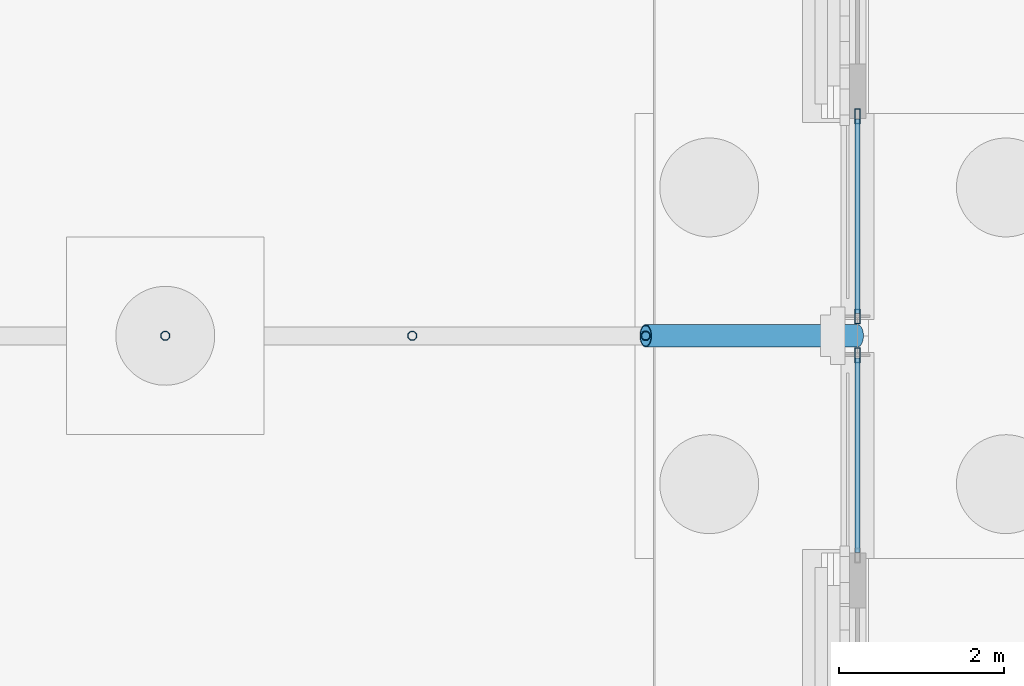
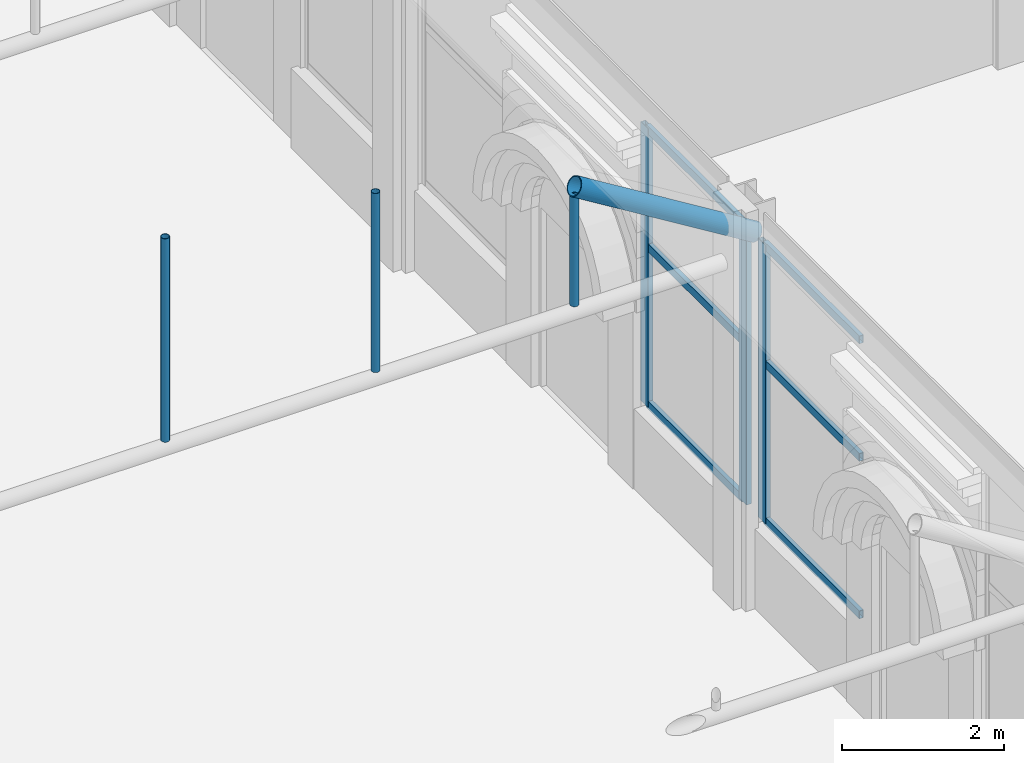
# One storey, part 150 of 212: 13 members, 2 elements without a shape of their own.
"""IFC4 building model written with IfcOpenShell, lengths in metres."""

import ifcopenshell
import ifcopenshell.guid

model = None  # the IFC model being written
_history = None  # IfcOwnerHistory: only IFC2X3 demands one
_inside = {}  # id of a spatial element -> (the spatial element, [elements in it])
_under = {}  # id of a project, library or spatial element -> (it, [spatial elements below it])
_declared = {}  # id of a project -> (the project, [libraries it declares])
_typed = {}  # id of a type object -> (the type object, [elements of that type])
_made_of = {}  # id of a material, layer set ... -> (it, [elements and type objects made of it])


def new_model(schema):
    """Start an empty IFC model of exactly this schema.

    Asked for "IFC4X3", IfcOpenShell would pick the latest addendum, in which some entities
    have other attributes; the version numbers below select the first issue.
    IFC2X3 requires an IfcOwnerHistory on every rooted entity: one is made here for all.
    """
    global model, _history
    if schema == "IFC4X3":
        model = ifcopenshell.file(schema_version=(4, 3, 0, 0))
    else:
        model = ifcopenshell.file(schema=schema)
    _inside.clear()
    _under.clear()
    _declared.clear()
    _typed.clear()
    _made_of.clear()
    _history = None
    if model.schema == "IFC2X3":
        org = make("IfcOrganization", Name="unknown")
        user = make(
            "IfcPersonAndOrganization",
            ThePerson=make("IfcPerson", FamilyName="unknown"),
            TheOrganization=org,
        )
        app = make(
            "IfcApplication",
            ApplicationDeveloper=org,
            Version="unknown",
            ApplicationFullName="unknown",
            ApplicationIdentifier="unknown",
        )
        _history = make(
            "IfcOwnerHistory",
            OwningUser=user,
            OwningApplication=app,
            ChangeAction="ADDED",
            CreationDate=0,
        )
    return model


def make(cls, **values):
    """One entity of the class cls with the attributes given. An attribute that is None is left unset."""
    return model.create_entity(
        cls, **{name: value for name, value in values.items() if value is not None}
    )


def rooted(cls, **values):
    """An entity with a GlobalId (a new one), such as an element, a storey or a relation."""
    return make(cls, GlobalId=ifcopenshell.guid.new(), OwnerHistory=_history, **values)


def si_unit(unit_type, name, prefix=None):
    """IfcSIUnit, for example si_unit("LENGTHUNIT", "METRE", prefix="MILLI")."""
    return make("IfcSIUnit", UnitType=unit_type, Prefix=prefix, Name=name)


def assignment(units):
    """IfcUnitAssignment: the units of a project."""
    return None if units is None else make("IfcUnitAssignment", Units=units)


def point(xyz):
    """IfcCartesianPoint."""
    return None if xyz is None else make("IfcCartesianPoint", Coordinates=xyz)


def direction(xyz):
    """IfcDirection."""
    return None if xyz is None else make("IfcDirection", DirectionRatios=xyz)


def frame(location, z_axis=None, x_axis=None):
    """IfcAxis2Placement3D, a coordinate frame: its origin and axes. An axis left out is left unset."""
    return make(
        "IfcAxis2Placement3D",
        Location=point(location),
        Axis=direction(z_axis),
        RefDirection=direction(x_axis),
    )


def frame_2d(location, x_axis=None):
    """IfcAxis2Placement2D, a coordinate frame in the plane: its origin and x axis."""
    return make(
        "IfcAxis2Placement2D", Location=point(location), RefDirection=direction(x_axis)
    )


def origin():
    """The frame at (0, 0, 0) with its axes left unset."""
    return frame((0.0, 0.0, 0.0))


def origin_2d():
    """The frame at (0, 0) in the plane with its x axis left unset."""
    return frame_2d((0.0, 0.0))


def place(relative_to, where):
    """IfcLocalPlacement: puts the frame where relative to a parent placement (None: the world)."""
    return make(
        "IfcLocalPlacement", PlacementRelTo=relative_to, RelativePlacement=where
    )


def context(
    kind, dimensions, precision=None, world=None, true_north=None, identifier=None
):
    """IfcGeometricRepresentationContext, for example the 3D "Model" context."""
    return make(
        "IfcGeometricRepresentationContext",
        ContextIdentifier=identifier,
        ContextType=kind,
        CoordinateSpaceDimension=dimensions,
        Precision=precision,
        WorldCoordinateSystem=world,
        TrueNorth=true_north,
    )


def subcontext(parent, identifier, kind, view, scale=None):
    """IfcGeometricRepresentationSubContext, for example "Body" below "Model"."""
    return make(
        "IfcGeometricRepresentationSubContext",
        ContextIdentifier=identifier,
        ContextType=kind,
        ParentContext=parent,
        TargetScale=scale,
        TargetView=view,
    )


def project(units=None, contexts=None):
    """IfcProject with its units and contexts."""
    return rooted(
        "IfcProject",
        Name="project",
        RepresentationContexts=contexts,
        UnitsInContext=assignment(units),
    )


def spatial(cls, under=None, at=None, **own):
    """A site, building, storey or space (cls), placed at a placement, below another one or the project."""
    s = rooted(cls, ObjectPlacement=at, **own)
    if under is not None:
        _under.setdefault(under.id(), (under, []))[1].append(s)
    return s


def profile(cls, at=None, kind="AREA", **sizes):
    """A parametric profile (cls). Its sizes go by their IFC names, for example OverallWidth=200.0."""
    return make(cls, ProfileType=kind, Position=at, **sizes)


def hollow_rectangle(**sizes):
    """IfcRectangleHollowProfileDef."""
    return profile("IfcRectangleHollowProfileDef", **sizes)


def hollow_circle(**sizes):
    """IfcCircleHollowProfileDef."""
    return profile("IfcCircleHollowProfileDef", **sizes)


def extrude(swept, where, along, depth):
    """IfcExtrudedAreaSolid: the profile swept, set in the frame where, extruded along a direction by depth."""
    return make(
        "IfcExtrudedAreaSolid",
        SweptArea=swept,
        Position=where,
        ExtrudedDirection=direction(along),
        Depth=depth,
    )


def shape(context_of_items, identifier, shape_type, items):
    """IfcShapeRepresentation: the items that make up one representation, for example the "Body"."""
    return make(
        "IfcShapeRepresentation",
        ContextOfItems=context_of_items,
        RepresentationIdentifier=identifier,
        RepresentationType=shape_type,
        Items=items,
    )


def material(Name=None, Category=None):
    """IfcMaterial."""
    return make("IfcMaterial", Name=Name, Category=Category)


def material_profile(
    of_material, cross_section, Name=None, Category=None, Priority=None
):
    """IfcMaterialProfile: a cross section and its material."""
    return make(
        "IfcMaterialProfile",
        Name=Name,
        Material=of_material,
        Profile=cross_section,
        Priority=Priority,
        Category=Category,
    )


def profile_set(profiles, Name=None, composite=None):
    """IfcMaterialProfileSet."""
    return make(
        "IfcMaterialProfileSet",
        Name=Name,
        MaterialProfiles=profiles,
        CompositeProfile=composite,
    )


def made_of(thing, what):
    """Note that an element or type object is made of a material, layer set ...; save() writes the relation."""
    if what is not None:
        _made_of.setdefault(what.id(), (what, []))[1].append(thing)
    return thing


def type_object(cls, material=None, **own):
    """A type object (cls), such as IfcWallType, which elements share."""
    return made_of(rooted(cls, **own), material)


def element(
    cls,
    number,
    at=None,
    inside=None,
    cuts=None,
    type_object=None,
    material=None,
    context=None,
    identifier="Body",
    shape_type=None,
    held_by="IfcProductDefinitionShape",
    body=None,
    shapes=None,
    **own,
):
    """One element of the class cls, such as IfcWall. Its Tag is "e" and its number.

    at: its placement. inside: the storey or other place that contains it. cuts: it is an
    opening in that element (IfcRelVoidsElement). A single representation is given by context,
    identifier, shape_type and body (its items); several are given by shapes. held_by: the class
    of the entity that holds the representations. save() writes the other relations.
    """
    e = rooted(cls, Tag="e%d" % number, ObjectPlacement=at, **own)
    if body is not None:
        shapes = [shape(context, identifier, shape_type, body)]
    if shapes is not None:
        e.Representation = make(held_by, Representations=shapes)
    if inside is not None:
        _inside.setdefault(inside.id(), (inside, []))[1].append(e)
    if cuts is not None:
        rooted(
            "IfcRelVoidsElement", RelatingBuildingElement=cuts, RelatedOpeningElement=e
        )
    if type_object is not None:
        _typed.setdefault(type_object.id(), (type_object, []))[1].append(e)
    return made_of(e, material)


def aggregate(whole, parts):
    """IfcRelAggregates: a whole, such as a stair, and the parts it consists of."""
    return rooted("IfcRelAggregates", RelatingObject=whole, RelatedObjects=parts)


def save(model, path):
    """Write the relations noted so far, then the file.

    IfcRelAggregates (storeys below a building ...), IfcRelContainedInSpatialStructure (elements
    in a storey), IfcRelDefinesByType, IfcRelAssociatesMaterial and IfcRelDeclares: one each for
    every whole, place, type object, material and project.
    """
    for whole, parts in _under.values():
        aggregate(whole, parts)
    for where, things in _inside.values():
        rooted(
            "IfcRelContainedInSpatialStructure",
            RelatedElements=things,
            RelatingStructure=where,
        )
    for kind, things in _typed.values():
        rooted("IfcRelDefinesByType", RelatedObjects=things, RelatingType=kind)
    for what, things in _made_of.values():
        rooted("IfcRelAssociatesMaterial", RelatedObjects=things, RelatingMaterial=what)
    for by, libraries in _declared.values():
        rooted("IfcRelDeclares", RelatingContext=by, RelatedDefinitions=libraries)
    model.write(path)


model = new_model("IFC4")

# Units and contexts
model_context = context("Model", 3, precision=1e-05, world=origin(), true_north=direction((0.0, 1.0)))
body_context = subcontext(model_context, "Body", "Model", "MODEL_VIEW")
ifc_project = project(units=[si_unit("LENGTHUNIT", "METRE"), si_unit("AREAUNIT", "SQUARE_METRE"), si_unit("VOLUMEUNIT", "CUBIC_METRE"), si_unit("PLANEANGLEUNIT", "RADIAN"), si_unit("MASSUNIT", "GRAM", prefix="KILO")], contexts=[model_context])

# Site, building, storey
site_placement = place(None, origin())
site = spatial("IfcSite", under=ifc_project, at=site_placement, CompositionType="ELEMENT")
building_placement = place(site_placement, origin())
building = spatial("IfcBuilding", under=site, at=building_placement, Name="Catenary Quay Ferry Terminal", CompositionType="ELEMENT")
storey_placement = place(building_placement, origin())
storey = spatial("IfcBuildingStorey", under=building, at=storey_placement, Name="L00", CompositionType="ELEMENT", Elevation=0.0)

# Members
ifc_material_1 = material(Name="Steel S355", Category="steel")
ifc_material_profile_1 = material_profile(ifc_material_1, hollow_circle(Radius=0.05712890625, WallThickness=0.00634765625, at=origin_2d()), Name="CHS 114.3x6.3")
ifc_profile_set_1 = profile_set([ifc_material_profile_1], Name="Steel S355")
member_type_1 = type_object("IfcMemberType", Name="HG1 CHS 114.3x6.3", PredefinedType="POST", material=ifc_profile_set_1)
member_1_placement = place(storey_placement, frame((16.800048828125, 184.800048828125, 5.205078125), z_axis=(0.0, 0.0, 1.0), x_axis=(1.0, 0.0, 0.0)))
element("IfcMember", 1, at=member_1_placement, inside=storey, type_object=member_type_1, Name="Hanger FC-15-03", PredefinedType="POST", context=body_context, shape_type="SweptSolid", body=[
    extrude(hollow_circle(Radius=0.05712890625, WallThickness=0.00634765625, at=origin_2d()), origin(), (0.0, 0.0, 1.0), 3.06494140625),
])
member_2_placement = place(storey_placement, frame((19.797119140625, 184.800048828125, 5.205078125), z_axis=(0.0, 0.0, 1.0), x_axis=(1.0, 0.0, 0.0)))
element("IfcMember", 2, at=member_2_placement, inside=storey, type_object=member_type_1, Name="Hanger FC-15-04", PredefinedType="POST", context=body_context, shape_type="SweptSolid", body=[
    extrude(hollow_circle(Radius=0.05712890625, WallThickness=0.00634765625, at=origin_2d()), origin(), (0.0, 0.0, 1.0), 2.69580078125),
])
member_3_placement = place(storey_placement, frame((22.62890625, 184.800048828125, 5.205078125), z_axis=(0.0, 0.0, 1.0), x_axis=(1.0, 0.0, 0.0)))
element("IfcMember", 3, at=member_3_placement, inside=storey, type_object=member_type_1, Name="Hanger FC-15-05", PredefinedType="POST", context=body_context, shape_type="SweptSolid", body=[
    extrude(hollow_circle(Radius=0.05712890625, WallThickness=0.00634765625, at=origin_2d()), origin(), (0.0, 0.0, 1.0), 1.64892578125),
])

# Curtain wall, member
ifc_material_2 = material(Name="Aluminium and glass", Category="aluminium")
curtain_wall_type = type_object("IfcCurtainWallType", Name="CWW1", PredefinedType="NOTDEFINED", material=ifc_material_2)
curtain_wall_1_placement = place(storey_placement, origin())
curtain_wall_1 = element("IfcCurtainWall", 4, at=curtain_wall_1_placement, inside=storey, type_object=curtain_wall_type, Name="Wing curtain wall CW108", PredefinedType="NOTDEFINED")
ifc_material_3 = material(Name="Aluminium", Category="aluminium")
ifc_material_profile_2 = material_profile(ifc_material_3, hollow_rectangle(XDim=0.070068359375, YDim=0.179931640625, WallThickness=0.006103515625, at=origin_2d()), Name="MU3")
ifc_profile_set_2 = profile_set([ifc_material_profile_2], Name="Aluminium")
member_type_2 = type_object("IfcMemberType", Name="MU3", PredefinedType="MULLION", material=ifc_profile_set_2)
member_4_placement = place(storey_placement, frame((25.199951171875, 184.56494140625, 1.199951171875), z_axis=(0.0, 0.0, 1.0), x_axis=(-1.0, 0.0, 0.0)))
member_4 = element("IfcMember", 5, at=member_4_placement, type_object=member_type_2, Name="CW108 mullion 2", PredefinedType="MULLION", context=body_context, shape_type="SweptSolid", body=[
    extrude(hollow_rectangle(XDim=0.070068359375, YDim=0.179931640625, WallThickness=0.006103515625, at=origin_2d()), origin(), (0.0, 0.0, 1.0), 4.199951171875),
])

# Curtain wall, members
curtain_wall_2_placement = place(storey_placement, origin())
curtain_wall_2 = element("IfcCurtainWall", 6, at=curtain_wall_2_placement, inside=storey, type_object=curtain_wall_type, Name="Wing curtain wall CW109", PredefinedType="NOTDEFINED")
member_5_placement = place(storey_placement, frame((25.199951171875, 185.034912109375, 1.199951171875), z_axis=(0.0, 0.0, 1.0), x_axis=(-1.0, 0.0, 0.0)))
member_5 = element("IfcMember", 7, at=member_5_placement, type_object=member_type_2, Name="CW109 mullion 1", PredefinedType="MULLION", context=body_context, shape_type="SweptSolid", body=[
    extrude(hollow_rectangle(XDim=0.070068359375, YDim=0.179931640625, WallThickness=0.006103515625, at=origin_2d()), origin(), (0.0, 0.0, 1.0), 4.199951171875),
])
member_6_placement = place(storey_placement, frame((25.199951171875, 187.465087890625, 1.199951171875), z_axis=(0.0, 0.0, 1.0), x_axis=(-1.0, 0.0, 0.0)))
member_6 = element("IfcMember", 8, at=member_6_placement, type_object=member_type_2, Name="CW109 mullion 2", PredefinedType="MULLION", context=body_context, shape_type="SweptSolid", body=[
    extrude(hollow_rectangle(XDim=0.070068359375, YDim=0.179931640625, WallThickness=0.006103515625, at=origin_2d()), origin(), (0.0, 0.0, 1.0), 4.199951171875),
])

# Member
ifc_material_4 = material(Name="Aluminium", Category="aluminium")
ifc_material_profile_3 = material_profile(ifc_material_4, hollow_rectangle(XDim=0.06005859375, YDim=0.1201171875, WallThickness=0.0048828125, at=origin_2d()), Name="TR3")
ifc_profile_set_3 = profile_set([ifc_material_profile_3], Name="Aluminium")
member_type_3 = type_object("IfcMemberType", Name="TR3", PredefinedType="USERDEFINED", material=ifc_profile_set_3)
member_7_placement = place(storey_placement, frame((25.199951171875, 182.169921875, 1.22998046875), z_axis=(0.0, 1.0, 0.0), x_axis=(-1.0, 0.0, 0.0)))
member_7 = element("IfcMember", 9, at=member_7_placement, type_object=member_type_3, Name="CW108 transom 1.1", ObjectType="TRANSOM", PredefinedType="USERDEFINED", context=body_context, shape_type="SweptSolid", body=[
    extrude(hollow_rectangle(XDim=0.06005859375, YDim=0.1201171875, WallThickness=0.0048828125, at=origin_2d()), origin(), (0.0, 0.0, 1.0), 2.360107421875),
])

member_8_placement = place(storey_placement, frame((25.199951171875, 182.169921875, 3.60009765625), z_axis=(0.0, 1.0, 0.0), x_axis=(-1.0, 0.0, 0.0)))
member_8 = element("IfcMember", 10, at=member_8_placement, type_object=member_type_3, Name="CW108 transom 1.2", ObjectType="TRANSOM", PredefinedType="USERDEFINED", context=body_context, shape_type="SweptSolid", body=[
    extrude(hollow_rectangle(XDim=0.06005859375, YDim=0.1201171875, WallThickness=0.0048828125, at=origin_2d()), origin(), (0.0, 0.0, 1.0), 2.360107421875),
])

member_9_placement = place(storey_placement, frame((25.199951171875, 182.169921875, 5.3701171875), z_axis=(0.0, 1.0, 0.0), x_axis=(-1.0, 0.0, 0.0)))
member_9 = element("IfcMember", 11, at=member_9_placement, type_object=member_type_3, Name="CW108 transom 1.3", ObjectType="TRANSOM", PredefinedType="USERDEFINED", context=body_context, shape_type="SweptSolid", body=[
    extrude(hollow_rectangle(XDim=0.06005859375, YDim=0.1201171875, WallThickness=0.0048828125, at=origin_2d()), origin(), (0.0, 0.0, 1.0), 2.360107421875),
])

aggregate(curtain_wall_1, [member_4, member_7, member_8, member_9])

member_10_placement = place(storey_placement, frame((25.199951171875, 185.070068359375, 1.22998046875), z_axis=(0.0, 1.0, 0.0), x_axis=(-1.0, 0.0, 0.0)))
member_10 = element("IfcMember", 12, at=member_10_placement, type_object=member_type_3, Name="CW109 transom 1.1", ObjectType="TRANSOM", PredefinedType="USERDEFINED", context=body_context, shape_type="SweptSolid", body=[
    extrude(hollow_rectangle(XDim=0.06005859375, YDim=0.1201171875, WallThickness=0.0048828125, at=origin_2d()), origin(), (0.0, 0.0, 1.0), 2.35986328125),
])

member_11_placement = place(storey_placement, frame((25.199951171875, 185.070068359375, 3.60009765625), z_axis=(0.0, 1.0, 0.0), x_axis=(-1.0, 0.0, 0.0)))
member_11 = element("IfcMember", 13, at=member_11_placement, type_object=member_type_3, Name="CW109 transom 1.2", ObjectType="TRANSOM", PredefinedType="USERDEFINED", context=body_context, shape_type="SweptSolid", body=[
    extrude(hollow_rectangle(XDim=0.06005859375, YDim=0.1201171875, WallThickness=0.0048828125, at=origin_2d()), origin(), (0.0, 0.0, 1.0), 2.35986328125),
])

member_12_placement = place(storey_placement, frame((25.199951171875, 185.070068359375, 5.3701171875), z_axis=(0.0, 1.0, 0.0), x_axis=(-1.0, 0.0, 0.0)))
member_12 = element("IfcMember", 14, at=member_12_placement, type_object=member_type_3, Name="CW109 transom 1.3", ObjectType="TRANSOM", PredefinedType="USERDEFINED", context=body_context, shape_type="SweptSolid", body=[
    extrude(hollow_rectangle(XDim=0.06005859375, YDim=0.1201171875, WallThickness=0.0048828125, at=origin_2d()), origin(), (0.0, 0.0, 1.0), 2.35986328125),
])

aggregate(curtain_wall_2, [member_5, member_6, member_10, member_11, member_12])

ifc_material_5 = material(Name="Steel S355", Category="steel")
ifc_material_profile_4 = material_profile(ifc_material_5, hollow_circle(Radius=0.136474609375, WallThickness=0.012451171875, at=origin_2d()), Name="CHS 273x12.5")
ifc_profile_set_4 = profile_set([ifc_material_profile_4], Name="Steel S355")
member_type_4 = type_object("IfcMemberType", Name="VR2 CHS 273x12.5", PredefinedType="RAFTER", material=ifc_profile_set_4)
member_13_placement = place(storey_placement, frame((22.62890625, 184.800048828125, 6.98388671875), z_axis=(0.851391726314, 0.0, -0.524530388408), x_axis=(0.0, 1.0, 0.0)))
element("IfcMember", 15, at=member_13_placement, inside=storey, type_object=member_type_4, Name="rib FC-15-06", PredefinedType="RAFTER", context=body_context, shape_type="SweptSolid", body=[
    extrude(hollow_circle(Radius=0.136474609375, WallThickness=0.012451171875, at=origin_2d()), origin(), (0.0, 0.0, 1.0), 3.019775390625),
])

save(model, "model.ifc")
